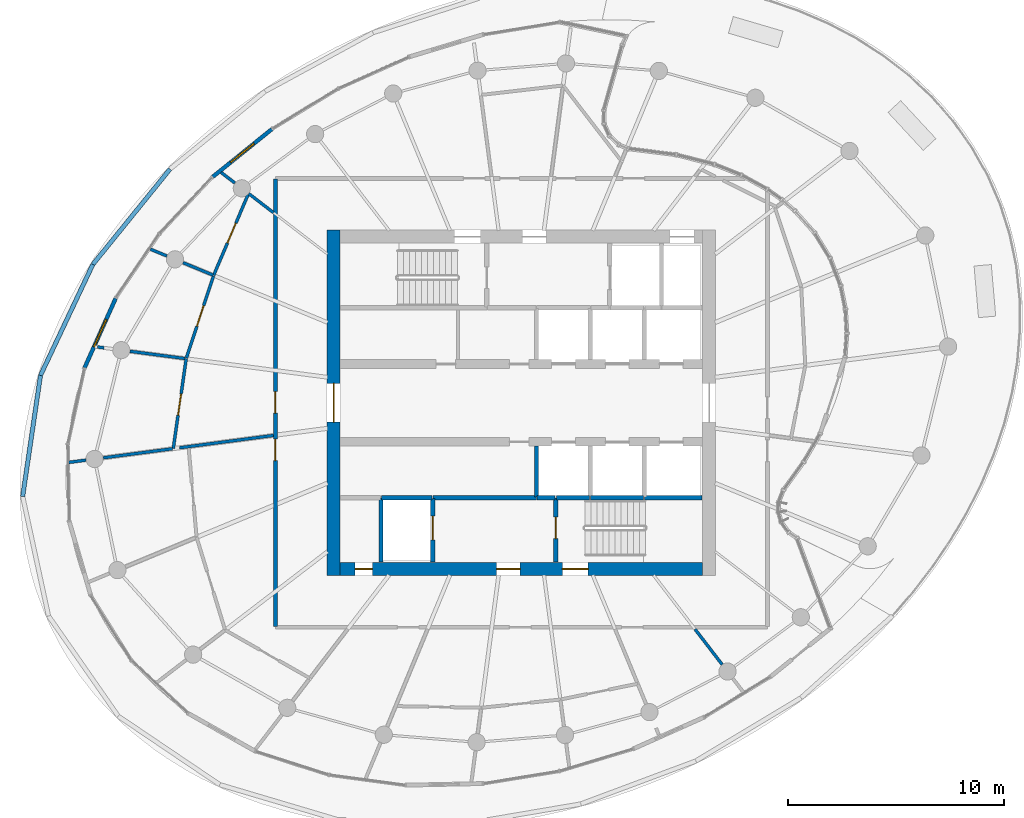
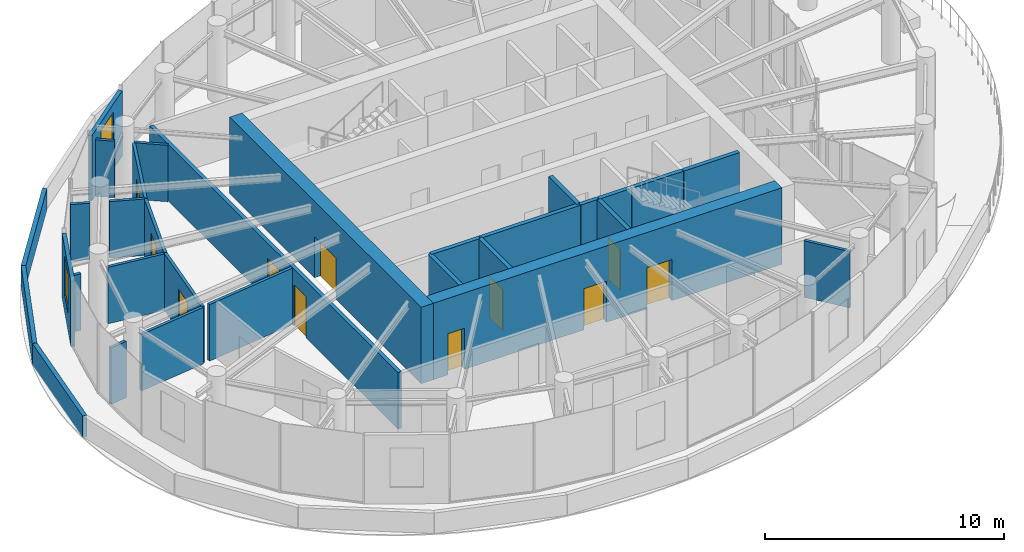
# One storey, part 12 of 19: 31 walls, 11 doors, 2 windows, 13 openings.
"""IFC4 building model written with IfcOpenShell, lengths in metres."""

from ifc_helpers import new_model, si_unit, direction, frame, frame_2d, origin, place, context, subcontext, project, spatial, rectangle, extrude, source, transform, mapped, material, layer, layer_set, type_object, element, fill, save


model = new_model("IFC4")

# Units and contexts
model_context = context("Model", 3, precision=1e-05, world=origin(), true_north=direction((0.0, 1.0)))
body_context = subcontext(model_context, "Body", "Model", "MODEL_VIEW")
ifc_project = project(units=[si_unit("LENGTHUNIT", "METRE"), si_unit("AREAUNIT", "SQUARE_METRE"), si_unit("VOLUMEUNIT", "CUBIC_METRE"), si_unit("PLANEANGLEUNIT", "RADIAN"), si_unit("MASSUNIT", "GRAM", prefix="KILO")], contexts=[model_context])

# Site, building, storey
site_placement = place(None, origin())
site = spatial("IfcSite", under=ifc_project, at=site_placement, CompositionType="ELEMENT")
building_placement = place(site_placement, origin())
building = spatial("IfcBuilding", under=site, at=building_placement, Name="Spindrift Exchange Tower", CompositionType="ELEMENT")
storey_placement = place(building_placement, frame((0.0, 0.0, 234.5)))
storey = spatial("IfcBuildingStorey", under=building, at=storey_placement, Name="L57", CompositionType="ELEMENT", Elevation=234.5)

# Walls
ifc_material_1 = material(Name="Concrete 40 MPa", Category="concrete")
ifc_layer_1 = layer(ifc_material_1, 0.199951171875)
ifc_layer_set_1 = layer_set([ifc_layer_1], Name="LEDGE PARAPET 1100")
wall_type_1 = type_object("IfcWallType", Name="LEDGE PARAPET 1100", PredefinedType="PARAPET", material=ifc_layer_set_1)
wall_1_placement = place(storey_placement, frame((28.890625, 43.65869140625, 0.0), z_axis=(0.0, 0.0, 1.0), x_axis=(0.145625312396, 0.989339814416, 0.0)))
element("IfcWall", 1, at=wall_1_placement, inside=storey, type_object=wall_type_1, Name="L57 Ledge Parapet 10", PredefinedType="PARAPET", context=body_context, shape_type="SweptSolid", body=[
    extrude(rectangle(XDim=5.67333984375, YDim=0.199951171875, at=frame_2d((2.836669921875, 0.0))), origin(), (0.0, 0.0, 1.0), 1.10009765625),
])
wall_2_placement = place(storey_placement, frame((29.716796875, 49.271484375, 0.0), z_axis=(0.0, 0.0, 1.0), x_axis=(0.426593477443, 0.904443478059, 0.0)))
element("IfcWall", 2, at=wall_2_placement, inside=storey, type_object=wall_type_1, Name="L57 Ledge Parapet 11", PredefinedType="PARAPET", context=body_context, shape_type="SweptSolid", body=[
    extrude(rectangle(XDim=5.682373046875, YDim=0.199951171875, at=frame_2d((2.84130859375, 0.0))), origin(), (0.0, 0.0, 1.0), 1.10009765625),
])
wall_3_placement = place(storey_placement, frame((32.140869140625, 54.410888671875, 0.0), z_axis=(0.0, 0.0, 1.0), x_axis=(0.629119189676, 0.777308848002, 0.0)))
element("IfcWall", 3, at=wall_3_placement, inside=storey, type_object=wall_type_1, Name="L57 Ledge Parapet 12", PredefinedType="PARAPET", context=body_context, shape_type="SweptSolid", body=[
    extrude(rectangle(XDim=5.68701171875, YDim=0.199951171875, at=frame_2d((2.843505859375, 0.0))), origin(), (0.0, 0.0, 1.0), 1.10009765625),
])

# Wall, opening, door
ifc_material_2 = material(Name="Concrete 50 MPa", Category="concrete")
ifc_layer_2 = layer(ifc_material_2, 0.60009765625)
ifc_layer_set_2 = layer_set([ifc_layer_2], Name="RC Core Wall 600 Concrete 50 MPa")
wall_type_2 = type_object("IfcWallType", Name="RC Core Wall 600 Concrete 50 MPa", PredefinedType="SHEAR", material=ifc_layer_set_2)
wall_4_placement = place(storey_placement, frame((43.300048828125, 56.0, 0.0), z_axis=(0.0, 0.0, 1.0), x_axis=(0.0, -1.0, 0.0)))
wall_4 = element("IfcWall", 4, at=wall_4_placement, inside=storey, type_object=wall_type_2, Name="Core wall W L57", PredefinedType="SHEAR", context=body_context, shape_type="SweptSolid", body=[
    extrude(rectangle(XDim=16.0, YDim=0.60009765625, at=frame_2d((8.0, 0.0))), origin(), (0.0, 0.0, 1.0), 3.89990234375),
])
opening_1_placement = place(wall_4_placement, frame((7.10009765625, 0.0, 0.0)))
opening_1 = element("IfcOpeningElement", 5, at=opening_1_placement, cuts=wall_4, Name="Opening L57-D1", PredefinedType="OPENING", context=body_context, shape_type="SweptSolid", body=[
    extrude(rectangle(XDim=1.800048828125, YDim=2.10009765625, at=frame_2d((0.89990234375, 1.050048828125))), frame((0.0, 0.31005859375, 0.0), z_axis=(0.0, -1.0, 0.0), x_axis=(1.0, 0.0, 0.0)), (0.0, 0.0, 1.0), 0.6201171875),
])
ifc_material_3 = material(Name="Timber-core fire door", Category="wood")
door_type_1 = type_object("IfcDoorType", Name="DR-LOBBY-1800", OperationType="NOTDEFINED", PredefinedType="DOOR", material=ifc_material_3)
shared_shape_1 = source(origin(), body_context, "Body", "SweptSolid", [
    extrude(rectangle(XDim=1.800048828125, YDim=2.10009765625, at=frame_2d((0.89990234375, 1.050048828125))), frame((0.0, 0.02490234375, 0.0), z_axis=(0.0, -1.0, 0.0), x_axis=(1.0, 0.0, 0.0)), (0.0, 0.0, 1.0), 0.050048828125),
])
door_1_placement = place(opening_1_placement, origin())
door_1 = element("IfcDoor", 6, at=door_1_placement, inside=storey, type_object=door_type_1, Name="L57 Lobby door 1", OperationType="SINGLE_SWING_RIGHT", OverallHeight=2.10009765625, OverallWidth=1.800048828125, PredefinedType="DOOR", context=body_context, shape_type="MappedRepresentation", body=[
    mapped(shared_shape_1, transform((0.0, 0.0, 0.0), scale=1.0)),
])
fill(opening_1, door_1)

# Wall, openings, doors
wall_5_placement = place(storey_placement, frame((43.60009765625, 40.300048828125, 0.0), z_axis=(0.0, 0.0, 1.0), x_axis=(1.0, 0.0, 0.0)))
wall_5 = element("IfcWall", 7, at=wall_5_placement, inside=storey, type_object=wall_type_2, Name="Core wall S L57", PredefinedType="SHEAR", context=body_context, shape_type="SweptSolid", body=[
    extrude(rectangle(XDim=16.7998046875, YDim=0.60009765625, at=frame_2d((8.39990234375, 0.0))), origin(), (0.0, 0.0, 1.0), 3.89990234375),
])
opening_2_placement = place(wall_5_placement, frame((10.300048828125, 0.0, 0.0)))
opening_2 = element("IfcOpeningElement", 8, at=opening_2_placement, cuts=wall_5, Name="Opening L57-D15", PredefinedType="OPENING", context=body_context, shape_type="SweptSolid", body=[
    extrude(rectangle(XDim=1.199951171875, YDim=2.10009765625, at=frame_2d((0.60009765625, 1.050048828125))), frame((0.0, 0.31005859375, 0.0), z_axis=(0.0, -1.0, 0.0), x_axis=(1.0, 0.0, 0.0)), (0.0, 0.0, 1.0), 0.6201171875),
])
opening_3_placement = place(wall_5_placement, frame((7.25, 0.0, 0.0)))
opening_3 = element("IfcOpeningElement", 9, at=opening_3_placement, cuts=wall_5, Name="Opening L57-D17", PredefinedType="OPENING", context=body_context, shape_type="SweptSolid", body=[
    extrude(rectangle(XDim=1.10009765625, YDim=2.10009765625, at=frame_2d((0.550048828125, 1.050048828125))), frame((0.0, 0.31005859375, 0.0), z_axis=(0.0, -1.0, 0.0), x_axis=(1.0, 0.0, 0.0)), (0.0, 0.0, 1.0), 0.6201171875),
])
opening_4_placement = place(wall_5_placement, frame((0.699951171875, 0.0, 0.0)))
opening_4 = element("IfcOpeningElement", 10, at=opening_4_placement, cuts=wall_5, Name="Opening L57-D18", PredefinedType="OPENING", context=body_context, shape_type="SweptSolid", body=[
    extrude(rectangle(XDim=0.800048828125, YDim=2.10009765625, at=frame_2d((0.39990234375, 1.050048828125))), frame((0.0, 0.31005859375, 0.0), z_axis=(0.0, -1.0, 0.0), x_axis=(1.0, 0.0, 0.0)), (0.0, 0.0, 1.0), 0.6201171875),
])
ifc_material_4 = material(Name="Steel fire door", Category="steel")
door_type_2 = type_object("IfcDoorType", Name="DR-STAIR-1200", OperationType="NOTDEFINED", PredefinedType="DOOR", material=ifc_material_4)
shared_shape_2 = source(origin(), body_context, "Body", "SweptSolid", [
    extrude(rectangle(XDim=1.199951171875, YDim=2.10009765625, at=frame_2d((0.60009765625, 1.050048828125))), frame((0.0, 0.02490234375, 0.0), z_axis=(0.0, -1.0, 0.0), x_axis=(1.0, 0.0, 0.0)), (0.0, 0.0, 1.0), 0.050048828125),
])
door_2_placement = place(opening_2_placement, origin())
door_2 = element("IfcDoor", 11, at=door_2_placement, inside=storey, type_object=door_type_2, Name="L57 Stair door 15", OperationType="SINGLE_SWING_LEFT", OverallHeight=2.10009765625, OverallWidth=1.199951171875, PredefinedType="DOOR", context=body_context, shape_type="MappedRepresentation", body=[
    mapped(shared_shape_2, transform((0.0, 0.0, 0.0), scale=1.0)),
])
fill(opening_2, door_2)
door_type_3 = type_object("IfcDoorType", Name="DR-LOBBY-1100", OperationType="NOTDEFINED", PredefinedType="DOOR", material=ifc_material_3)
shared_shape_3 = source(origin(), body_context, "Body", "SweptSolid", [
    extrude(rectangle(XDim=1.10009765625, YDim=2.10009765625, at=frame_2d((0.550048828125, 1.050048828125))), frame((0.0, 0.02490234375, 0.0), z_axis=(0.0, -1.0, 0.0), x_axis=(1.0, 0.0, 0.0)), (0.0, 0.0, 1.0), 0.050048828125),
])
door_3_placement = place(opening_3_placement, origin())
door_3 = element("IfcDoor", 12, at=door_3_placement, inside=storey, type_object=door_type_3, Name="L57 Lobby door 17", OperationType="SINGLE_SWING_LEFT", OverallHeight=2.10009765625, OverallWidth=1.10009765625, PredefinedType="DOOR", context=body_context, shape_type="MappedRepresentation", body=[
    mapped(shared_shape_3, transform((0.0, 0.0, 0.0), scale=1.0)),
])
fill(opening_3, door_3)
ifc_material_5 = material(Name="Steel access door", Category="steel")
door_type_4 = type_object("IfcDoorType", Name="DR-RISER-800", OperationType="NOTDEFINED", PredefinedType="DOOR", material=ifc_material_5)
shared_shape_4 = source(origin(), body_context, "Body", "SweptSolid", [
    extrude(rectangle(XDim=0.800048828125, YDim=2.10009765625, at=frame_2d((0.39990234375, 1.050048828125))), frame((0.0, 0.02490234375, 0.0), z_axis=(0.0, -1.0, 0.0), x_axis=(1.0, 0.0, 0.0)), (0.0, 0.0, 1.0), 0.050048828125),
])
door_4_placement = place(opening_4_placement, origin())
door_4 = element("IfcDoor", 13, at=door_4_placement, inside=storey, type_object=door_type_4, Name="L57 Riser door 18", OperationType="SINGLE_SWING_RIGHT", OverallHeight=2.10009765625, OverallWidth=0.800048828125, PredefinedType="DOOR", context=body_context, shape_type="MappedRepresentation", body=[
    mapped(shared_shape_4, transform((0.0, 0.0, 0.0), scale=1.0)),
])
fill(opening_4, door_4)

# Wall, opening, window
ifc_material_6 = material(Name="Bronze anodised aluminium frame with fritted laminated glass spandrel", Category="aluminium")
ifc_layer_3 = layer(ifc_material_6, 0.179931640625)
ifc_layer_set_3 = layer_set([ifc_layer_3], Name="UNITISED FRAME WALL TO BEAM SOFFIT")
wall_type_3 = type_object("IfcWallType", Name="UNITISED FRAME WALL TO BEAM SOFFIT", PredefinedType="STANDARD", material=ifc_layer_set_3)
wall_6_placement = place(storey_placement, frame((40.44189453125, 60.68505859375, 0.0), z_axis=(0.0, 0.0, 1.0), x_axis=(-0.77832244361, -0.627864773477, 0.0)))
wall_6 = element("IfcWall", 14, at=wall_6_placement, inside=storey, type_object=wall_type_3, Name="L57 Frame Wall 5", PredefinedType="STANDARD", context=body_context, shape_type="SweptSolid", body=[
    extrude(rectangle(XDim=3.526123046875, YDim=0.179931640625, at=frame_2d((1.76318359375, 0.0))), origin(), (0.0, 0.0, 1.0), 3.327880859375),
])
opening_5_placement = place(wall_6_placement, frame((1.06298828125, 0.0, 0.89990234375)))
opening_5 = element("IfcOpeningElement", 15, at=opening_5_placement, cuts=wall_6, Name="Opening WV57-02", PredefinedType="OPENING", context=body_context, shape_type="SweptSolid", body=[
    extrude(rectangle(XDim=1.39990234375, YDim=2.0, at=frame_2d((0.699951171875, 1.0))), frame((0.0, 0.099853515625, 0.0), z_axis=(0.0, -1.0, 0.0), x_axis=(1.0, 0.0, 0.0)), (0.0, 0.0, 1.0), 0.199951171875),
])
ifc_material_7 = material(Name="Clear laminated low-iron glass in bronze frame", Category="glass")
window_type = type_object("IfcWindowType", Name="OPERABLE CLEAR VENT 1400X2000", PartitioningType="SINGLE_PANEL", PredefinedType="WINDOW", material=ifc_material_7)
shared_shape_5 = source(origin(), body_context, "Body", "SweptSolid", [
    extrude(rectangle(XDim=1.39990234375, YDim=2.0, at=frame_2d((0.699951171875, 1.0))), frame((0.0, 0.030029296875, 0.0), z_axis=(0.0, -1.0, 0.0), x_axis=(1.0, 0.0, 0.0)), (0.0, 0.0, 1.0), 0.06005859375),
])
window_1_placement = place(opening_5_placement, origin())
window_1 = element("IfcWindow", 16, at=window_1_placement, inside=storey, type_object=window_type, Name="L57 Operable Vent WV57-02", OverallHeight=2.0, OverallWidth=1.39990234375, PartitioningType="SINGLE_PANEL", PredefinedType="WINDOW", context=body_context, shape_type="MappedRepresentation", body=[
    mapped(shared_shape_5, transform((0.0, 0.0, 0.0), scale=1.0)),
])
fill(opening_5, window_1)

wall_7_placement = place(storey_placement, frame((33.199462890625, 52.84033203125, 0.0), z_axis=(0.0, 0.0, 1.0), x_axis=(-0.408387330325, -0.912808735952, 0.0)))
wall_7 = element("IfcWall", 17, at=wall_7_placement, inside=storey, type_object=wall_type_3, Name="L57 Frame Wall 8", PredefinedType="STANDARD", context=body_context, shape_type="SweptSolid", body=[
    extrude(rectangle(XDim=3.5234375, YDim=0.179931640625, at=frame_2d((1.76171875, 0.0))), origin(), (0.0, 0.0, 1.0), 3.327880859375),
])
opening_6_placement = place(wall_7_placement, frame((1.061767578125, 0.0, 0.89990234375)))
opening_6 = element("IfcOpeningElement", 18, at=opening_6_placement, cuts=wall_7, Name="Opening WV57-03", PredefinedType="OPENING", context=body_context, shape_type="SweptSolid", body=[
    extrude(rectangle(XDim=1.39990234375, YDim=2.0, at=frame_2d((0.699951171875, 1.0))), frame((0.0, 0.099853515625, 0.0), z_axis=(0.0, -1.0, 0.0), x_axis=(1.0, 0.0, 0.0)), (0.0, 0.0, 1.0), 0.199951171875),
])
window_2_placement = place(opening_6_placement, origin())
window_2 = element("IfcWindow", 19, at=window_2_placement, inside=storey, type_object=window_type, Name="L57 Operable Vent WV57-03", OverallHeight=2.0, OverallWidth=1.39990234375, PartitioningType="SINGLE_PANEL", PredefinedType="WINDOW", context=body_context, shape_type="MappedRepresentation", body=[
    mapped(shared_shape_5, transform((0.0, 0.0, 0.0), scale=1.0)),
])
fill(opening_6, window_2)

# Wall, openings, doors
ifc_material_8 = material(Name="Fire-rated plasterboard partition", Category="gypsum")
ifc_layer_4 = layer(ifc_material_8, 0.179931640625)
ifc_layer_set_4 = layer_set([ifc_layer_4], Name="W-CORR-180")
wall_type_4 = type_object("IfcWallType", Name="W-CORR-180", PredefinedType="PARTITIONING", material=ifc_layer_set_4)
wall_8_placement = place(storey_placement, frame((40.60009765625, 37.6298828125, 0.0), z_axis=(0.0, 0.0, 1.0), x_axis=(0.0, 1.0, 0.0)))
wall_8 = element("IfcWall", 20, at=wall_8_placement, inside=storey, type_object=wall_type_4, Name="L57 Partition wall 29", PredefinedType="PARTITIONING", context=body_context, shape_type="SweptSolid", body=[
    extrude(rectangle(XDim=20.740234375, YDim=0.179931640625, at=frame_2d((10.3701171875, 0.0))), origin(), (0.0, 0.0, 1.0), 2.8798828125),
])
opening_7_placement = place(wall_8_placement, frame((9.889892578125, 0.0, 0.0)))
opening_7 = element("IfcOpeningElement", 21, at=opening_7_placement, cuts=wall_8, Name="Opening L57-D24", PredefinedType="OPENING", context=body_context, shape_type="SweptSolid", body=[
    extrude(rectangle(XDim=1.0, YDim=2.10009765625, at=frame_2d((0.5, 1.050048828125))), frame((0.0, 0.099853515625, 0.0), z_axis=(0.0, -1.0, 0.0), x_axis=(1.0, 0.0, 0.0)), (0.0, 0.0, 1.0), 0.199951171875),
])
opening_8_placement = place(wall_8_placement, frame((7.68994140625, 0.0, 0.0)))
opening_8 = element("IfcOpeningElement", 22, at=opening_8_placement, cuts=wall_8, Name="Opening L57-D28", PredefinedType="OPENING", context=body_context, shape_type="SweptSolid", body=[
    extrude(rectangle(XDim=1.0, YDim=2.10009765625, at=frame_2d((0.5, 1.050048828125))), frame((0.0, 0.099853515625, 0.0), z_axis=(0.0, -1.0, 0.0), x_axis=(1.0, 0.0, 0.0)), (0.0, 0.0, 1.0), 0.199951171875),
])
door_type_5 = type_object("IfcDoorType", Name="DR-ROOM-1000", OperationType="NOTDEFINED", PredefinedType="DOOR", material=ifc_material_3)
shared_shape_6 = source(origin(), body_context, "Body", "SweptSolid", [
    extrude(rectangle(XDim=1.0, YDim=2.10009765625, at=frame_2d((0.5, 1.050048828125))), frame((0.0, 0.02490234375, 0.0), z_axis=(0.0, -1.0, 0.0), x_axis=(1.0, 0.0, 0.0)), (0.0, 0.0, 1.0), 0.050048828125),
])
door_5_placement = place(opening_7_placement, origin())
door_5 = element("IfcDoor", 23, at=door_5_placement, inside=storey, type_object=door_type_5, Name="L57 Door 24", OperationType="SINGLE_SWING_RIGHT", OverallHeight=2.10009765625, OverallWidth=1.0, PredefinedType="DOOR", context=body_context, shape_type="MappedRepresentation", body=[
    mapped(shared_shape_6, transform((0.0, 0.0, 0.0), scale=1.0)),
])
fill(opening_7, door_5)
door_6_placement = place(opening_8_placement, origin())
door_6 = element("IfcDoor", 24, at=door_6_placement, inside=storey, type_object=door_type_5, Name="L57 Door 28", OperationType="SINGLE_SWING_RIGHT", OverallHeight=2.10009765625, OverallWidth=1.0, PredefinedType="DOOR", context=body_context, shape_type="MappedRepresentation", body=[
    mapped(shared_shape_6, transform((0.0, 0.0, 0.0), scale=1.0)),
])
fill(opening_8, door_6)

# Wall
ifc_layer_5 = layer(ifc_material_8, 0.139892578125)
ifc_layer_set_5 = layer_set([ifc_layer_5], Name="W-PART-140")
wall_type_5 = type_object("IfcWallType", Name="W-PART-140", PredefinedType="PARTITIONING", material=ifc_layer_set_5)
wall_9_placement = place(storey_placement, frame((36.16357421875, 45.9150390625, 0.0), z_axis=(0.0, 0.0, 1.0), x_axis=(0.991443487812, 0.130536625031, 0.0)))
element("IfcWall", 25, at=wall_9_placement, inside=storey, type_object=wall_type_5, Name="L57 Partition wall 34", PredefinedType="PARTITIONING", context=body_context, shape_type="SweptSolid", body=[
    extrude(rectangle(XDim=4.384033203125, YDim=0.139892578125, at=frame_2d((2.19189453125, 0.0))), origin(), (0.0, 0.0, 1.0), 2.8798828125),
])

# Wall, opening, door
wall_10_placement = place(storey_placement, frame((35.868408203125, 45.876220703125, 0.0), z_axis=(0.0, 0.0, 1.0), x_axis=(0.142606161413, 0.989779512178, 0.0)))
wall_10 = element("IfcWall", 26, at=wall_10_placement, inside=storey, type_object=wall_type_5, Name="L57 Partition wall 39", PredefinedType="PARTITIONING", context=body_context, shape_type="SweptSolid", body=[
    extrude(rectangle(XDim=4.21142578125, YDim=0.139892578125, at=frame_2d((2.105712890625, 0.0))), origin(), (0.0, 0.0, 1.0), 2.8798828125),
])
opening_9_placement = place(wall_10_placement, frame((1.5615234375, 0.0, 0.0)))
opening_9 = element("IfcOpeningElement", 27, at=opening_9_placement, cuts=wall_10, Name="Opening L57-D27", PredefinedType="OPENING", context=body_context, shape_type="SweptSolid", body=[
    extrude(rectangle(XDim=1.0, YDim=2.10009765625, at=frame_2d((0.5, 1.050048828125))), frame((0.0, 0.079833984375, 0.0), z_axis=(0.0, -1.0, 0.0), x_axis=(1.0, 0.0, 0.0)), (0.0, 0.0, 1.0), 0.159912109375),
])
door_7_placement = place(opening_9_placement, origin())
door_7 = element("IfcDoor", 28, at=door_7_placement, inside=storey, type_object=door_type_5, Name="L57 Door 27", OperationType="SINGLE_SWING_LEFT", OverallHeight=2.10009765625, OverallWidth=1.0, PredefinedType="DOOR", context=body_context, shape_type="MappedRepresentation", body=[
    mapped(shared_shape_6, transform((0.0, 0.0, 0.0), scale=1.0)),
])
fill(opening_9, door_7)

wall_11_placement = place(storey_placement, frame((37.74072265625, 53.906494140625, 0.0), z_axis=(0.0, 0.0, 1.0), x_axis=(0.391990538721, 0.919969248156, 0.0)))
wall_11 = element("IfcWall", 29, at=wall_11_placement, inside=storey, type_object=wall_type_5, Name="L57 Partition wall 40", PredefinedType="PARTITIONING", context=body_context, shape_type="SweptSolid", body=[
    extrude(rectangle(XDim=4.080810546875, YDim=0.139892578125, at=frame_2d((2.04052734375, 0.0))), origin(), (0.0, 0.0, 1.0), 2.8798828125),
])
opening_10_placement = place(wall_11_placement, frame((1.630859375, 0.0, 0.0)))
opening_10 = element("IfcOpeningElement", 30, at=opening_10_placement, cuts=wall_11, Name="Opening L57-D25", PredefinedType="OPENING", context=body_context, shape_type="SweptSolid", body=[
    extrude(rectangle(XDim=1.0, YDim=2.10009765625, at=frame_2d((0.5, 1.050048828125))), frame((0.0, 0.079833984375, 0.0), z_axis=(0.0, -1.0, 0.0), x_axis=(1.0, 0.0, 0.0)), (0.0, 0.0, 1.0), 0.159912109375),
])
door_8_placement = place(opening_10_placement, origin())
door_8 = element("IfcDoor", 31, at=door_8_placement, inside=storey, type_object=door_type_5, Name="L57 Door 25", OperationType="SINGLE_SWING_LEFT", OverallHeight=2.10009765625, OverallWidth=1.0, PredefinedType="DOOR", context=body_context, shape_type="MappedRepresentation", body=[
    mapped(shared_shape_6, transform((0.0, 0.0, 0.0), scale=1.0)),
])
fill(opening_10, door_8)

wall_12_placement = place(storey_placement, frame((36.478271484375, 50.0732421875, 0.0), z_axis=(0.0, 0.0, 1.0), x_axis=(0.312843173351, 0.949804795149, 0.0)))
wall_12 = element("IfcWall", 32, at=wall_12_placement, inside=storey, type_object=wall_type_5, Name="L57 Partition wall 41", PredefinedType="PARTITIONING", context=body_context, shape_type="SweptSolid", body=[
    extrude(rectangle(XDim=4.005859375, YDim=0.139892578125, at=frame_2d((2.0029296875, 0.0))), origin(), (0.0, 0.0, 1.0), 2.8798828125),
])
opening_11_placement = place(wall_12_placement, frame((1.5556640625, 0.0, 0.0)))
opening_11 = element("IfcOpeningElement", 33, at=opening_11_placement, cuts=wall_12, Name="Opening L57-D26", PredefinedType="OPENING", context=body_context, shape_type="SweptSolid", body=[
    extrude(rectangle(XDim=1.0, YDim=2.10009765625, at=frame_2d((0.5, 1.050048828125))), frame((0.0, 0.079833984375, 0.0), z_axis=(0.0, -1.0, 0.0), x_axis=(1.0, 0.0, 0.0)), (0.0, 0.0, 1.0), 0.159912109375),
])
door_9_placement = place(opening_11_placement, origin())
door_9 = element("IfcDoor", 34, at=door_9_placement, inside=storey, type_object=door_type_5, Name="L57 Door 26", OperationType="SINGLE_SWING_RIGHT", OverallHeight=2.10009765625, OverallWidth=1.0, PredefinedType="DOOR", context=body_context, shape_type="MappedRepresentation", body=[
    mapped(shared_shape_6, transform((0.0, 0.0, 0.0), scale=1.0)),
])
fill(opening_11, door_9)

# Walls
wall_13_placement = place(storey_placement, frame((35.838623046875, 45.872314453125, 0.0), z_axis=(0.0, 0.0, 1.0), x_axis=(-0.991450707373, -0.13048177976, 0.0)))
element("IfcWall", 35, at=wall_13_placement, inside=storey, type_object=wall_type_5, Name="L57 Partition wall 51", PredefinedType="PARTITIONING", context=body_context, shape_type="SweptSolid", body=[
    extrude(rectangle(XDim=3.24267578125, YDim=0.139892578125, at=frame_2d((1.621337890625, 0.0))), origin(), (0.0, 0.0, 1.0), 2.8798828125),
])
wall_14_placement = place(storey_placement, frame((36.399658203125, 50.0537109375, 0.0), z_axis=(0.0, 0.0, 1.0), x_axis=(-0.991443907161, 0.130533439979, 0.0)))
element("IfcWall", 36, at=wall_14_placement, inside=storey, type_object=wall_type_5, Name="L57 Partition wall 53", PredefinedType="PARTITIONING", context=body_context, shape_type="SweptSolid", body=[
    extrude(rectangle(XDim=2.560546875, YDim=0.139892578125, at=frame_2d((1.2802734375, 0.0))), origin(), (0.0, 0.0, 1.0), 2.8798828125),
])
wall_15_placement = place(storey_placement, frame((60.04931640625, 37.510009765625, 0.0), z_axis=(0.0, 0.0, 1.0), x_axis=(0.608701397958, -0.793399400128, 0.0)))
element("IfcWall", 37, at=wall_15_placement, inside=storey, type_object=wall_type_5, Name="L57 Partition wall 58", PredefinedType="PARTITIONING", context=body_context, shape_type="SweptSolid", body=[
    extrude(rectangle(XDim=2.070068359375, YDim=0.139892578125, at=frame_2d((1.03515625, 0.0))), origin(), (0.0, 0.0, 1.0), 2.8798828125),
])
wall_16_placement = place(storey_placement, frame((40.510009765625, 56.816650390625, 0.0), z_axis=(0.0, 0.0, 1.0), x_axis=(-0.793316945216, 0.608808857059, 0.0)))
element("IfcWall", 38, at=wall_16_placement, inside=storey, type_object=wall_type_5, Name="L57 Partition wall 62", PredefinedType="PARTITIONING", context=body_context, shape_type="SweptSolid", body=[
    extrude(rectangle(XDim=1.439697265625, YDim=0.139892578125, at=frame_2d((0.7197265625, 0.0))), origin(), (0.0, 0.0, 1.0), 2.8798828125),
])
wall_17_placement = place(storey_placement, frame((37.713134765625, 53.917724609375, 0.0), z_axis=(0.0, 0.0, 1.0), x_axis=(-0.923819085666, 0.382829331373, 0.0)))
element("IfcWall", 39, at=wall_17_placement, inside=storey, type_object=wall_type_5, Name="L57 Partition wall 63", PredefinedType="PARTITIONING", context=body_context, shape_type="SweptSolid", body=[
    extrude(rectangle(XDim=1.505126953125, YDim=0.139892578125, at=frame_2d((0.75244140625, 0.0))), origin(), (0.0, 0.0, 1.0), 2.8798828125),
])
wall_18_placement = place(storey_placement, frame((32.662353515625, 50.5458984375, 0.0), z_axis=(0.0, 0.0, 1.0), x_axis=(-0.991424066083, 0.130684051022, 0.0)))
element("IfcWall", 40, at=wall_18_placement, inside=storey, type_object=wall_type_5, Name="L57 Partition wall 72", PredefinedType="PARTITIONING", context=body_context, shape_type="SweptSolid", body=[
    extrude(rectangle(XDim=0.302734375, YDim=0.139892578125, at=frame_2d((0.1513671875, 0.0))), origin(), (0.0, 0.0, 1.0), 2.8798828125),
])
wall_19_placement = place(storey_placement, frame((35.57421875, 54.8037109375, 0.0), z_axis=(0.0, 0.0, 1.0), x_axis=(-0.923915786345, 0.38259589614, 0.0)))
element("IfcWall", 41, at=wall_19_placement, inside=storey, type_object=wall_type_5, Name="L57 Partition wall 73", PredefinedType="PARTITIONING", context=body_context, shape_type="SweptSolid", body=[
    extrude(rectangle(XDim=0.824462890625, YDim=0.139892578125, at=frame_2d((0.412109375, 0.0))), origin(), (0.0, 0.0, 1.0), 2.8798828125),
])
wall_20_placement = place(storey_placement, frame((38.72607421875, 58.185546875, 0.0), z_axis=(0.0, 0.0, 1.0), x_axis=(-0.793387400676, 0.60871703808, 0.0)))
element("IfcWall", 42, at=wall_20_placement, inside=storey, type_object=wall_type_5, Name="L57 Partition wall 74", PredefinedType="PARTITIONING", context=body_context, shape_type="SweptSolid", body=[
    extrude(rectangle(XDim=0.807861328125, YDim=0.139892578125, at=frame_2d((0.40380859375, 0.0))), origin(), (0.0, 0.0, 1.0), 2.8798828125),
])
wall_21_placement = place(storey_placement, frame((31.821533203125, 45.343505859375, 0.0), z_axis=(0.0, 0.0, 1.0), x_axis=(-0.991435721486, -0.130595597787, 0.0)))
element("IfcWall", 43, at=wall_21_placement, inside=storey, type_object=wall_type_5, Name="L57 Partition wall 75", PredefinedType="PARTITIONING", context=body_context, shape_type="SweptSolid", body=[
    extrude(rectangle(XDim=0.8056640625, YDim=0.139892578125, at=frame_2d((0.40283203125, 0.0))), origin(), (0.0, 0.0, 1.0), 2.8798828125),
])
ifc_layer_6 = layer(ifc_material_1, 0.199951171875)
ifc_layer_set_6 = layer_set([ifc_layer_6], Name="W-SHAFT-200")
wall_type_6 = type_object("IfcWallType", Name="W-SHAFT-200", PredefinedType="SOLIDWALL", material=ifc_layer_set_6)
wall_22_placement = place(storey_placement, frame((52.699951171875, 43.60009765625, 0.0), z_axis=(0.0, 0.0, 1.0), x_axis=(-1.0, 0.0, 0.0)))
element("IfcWall", 44, at=wall_22_placement, inside=storey, type_object=wall_type_6, Name="L57 Shaft wall 2", PredefinedType="SOLIDWALL", context=body_context, shape_type="SweptSolid", body=[
    extrude(rectangle(XDim=4.800048828125, YDim=0.199951171875, at=frame_2d((2.39990234375, 0.0))), origin(), (0.0, 0.0, 1.0), 3.580078125),
])
wall_23_placement = place(storey_placement, frame((45.5, 43.60009765625, 0.0), z_axis=(0.0, 0.0, 1.0), x_axis=(0.0, -1.0, 0.0)))
element("IfcWall", 45, at=wall_23_placement, inside=storey, type_object=wall_type_6, Name="L57 Shaft wall 3", PredefinedType="SOLIDWALL", context=body_context, shape_type="SweptSolid", body=[
    extrude(rectangle(XDim=2.97998046875, YDim=0.199951171875, at=frame_2d((1.489990234375, 0.0))), origin(), (0.0, 0.0, 1.0), 3.580078125),
])

# Wall, opening, door
wall_24_placement = place(storey_placement, frame((47.89990234375, 40.6201171875, 0.0), z_axis=(0.0, 0.0, 1.0), x_axis=(0.0, 1.0, 0.0)))
wall_24 = element("IfcWall", 46, at=wall_24_placement, inside=storey, type_object=wall_type_6, Name="L57 Shaft wall 4", PredefinedType="SOLIDWALL", context=body_context, shape_type="SweptSolid", body=[
    extrude(rectangle(XDim=2.949951171875, YDim=0.199951171875, at=frame_2d((1.47509765625, 0.0))), origin(), (0.0, 0.0, 1.0), 3.580078125),
])
opening_12_placement = place(wall_24_placement, frame((1.030029296875, 0.0, 0.0)))
opening_12 = element("IfcOpeningElement", 47, at=opening_12_placement, cuts=wall_24, Name="Opening L57-D10", PredefinedType="OPENING", context=body_context, shape_type="SweptSolid", body=[
    extrude(rectangle(XDim=1.10009765625, YDim=2.10009765625, at=frame_2d((0.550048828125, 1.050048828125))), frame((0.0, 0.10986328125, 0.0), z_axis=(0.0, -1.0, 0.0), x_axis=(1.0, 0.0, 0.0)), (0.0, 0.0, 1.0), 0.219970703125),
])
ifc_material_9 = material(Name="Stainless steel landing door", Category="steel")
door_type_6 = type_object("IfcDoorType", Name="DR-LANDING-1100-SL", OperationType="DOUBLE_DOOR_SLIDING", PredefinedType="USERDEFINED", material=ifc_material_9)
shared_shape_7 = source(origin(), body_context, "Body", "SweptSolid", [
    extrude(rectangle(XDim=1.10009765625, YDim=2.10009765625, at=frame_2d((0.550048828125, 1.050048828125))), frame((0.0, 0.02490234375, 0.0), z_axis=(0.0, -1.0, 0.0), x_axis=(1.0, 0.0, 0.0)), (0.0, 0.0, 1.0), 0.050048828125),
])
door_10_placement = place(opening_12_placement, origin())
door_10 = element("IfcDoor", 48, at=door_10_placement, inside=storey, type_object=door_type_6, Name="L57 Lift landing door 10", ObjectType="LANDING DOOR", OperationType="DOUBLE_DOOR_SLIDING", OverallHeight=2.10009765625, OverallWidth=1.10009765625, PredefinedType="USERDEFINED", context=body_context, shape_type="MappedRepresentation", body=[
    mapped(shared_shape_7, transform((0.0, 0.0, 0.0), scale=1.0)),
])
fill(opening_12, door_10)

# Walls
wall_25_placement = place(storey_placement, frame((47.8701171875, 43.60009765625, 0.0), z_axis=(0.0, 0.0, 1.0), x_axis=(-1.0, 0.0, 0.0)))
element("IfcWall", 49, at=wall_25_placement, inside=storey, type_object=wall_type_6, Name="L57 Shaft wall 12", PredefinedType="SOLIDWALL", context=body_context, shape_type="SweptSolid", body=[
    extrude(rectangle(XDim=2.340087890625, YDim=0.199951171875, at=frame_2d((1.169921875, 0.0))), origin(), (0.0, 0.0, 1.0), 3.580078125),
])
wall_26_placement = place(storey_placement, frame((52.699951171875, 45.989990234375, 0.0), z_axis=(0.0, 0.0, 1.0), x_axis=(0.0, -1.0, 0.0)))
element("IfcWall", 50, at=wall_26_placement, inside=storey, type_object=wall_type_6, Name="L57 Shaft wall 13", PredefinedType="SOLIDWALL", context=body_context, shape_type="SweptSolid", body=[
    extrude(rectangle(XDim=2.360107421875, YDim=0.199951171875, at=frame_2d((1.18017578125, 0.0))), origin(), (0.0, 0.0, 1.0), 3.580078125),
])

# Wall, opening, door
ifc_layer_7 = layer(ifc_material_1, 0.199951171875)
ifc_layer_set_7 = layer_set([ifc_layer_7], Name="W-SHAFT-200-LB")
wall_type_7 = type_object("IfcWallType", Name="W-SHAFT-200-LB", PredefinedType="SOLIDWALL", material=ifc_layer_set_7)
wall_27_placement = place(storey_placement, frame((53.60009765625, 43.60009765625, 0.0), z_axis=(0.0, 0.0, 1.0), x_axis=(0.0, -1.0, 0.0)))
wall_27 = element("IfcWall", 51, at=wall_27_placement, inside=storey, type_object=wall_type_7, Name="L57 Shaft wall 6", PredefinedType="SOLIDWALL", context=body_context, shape_type="SweptSolid", body=[
    extrude(rectangle(XDim=2.97998046875, YDim=0.199951171875, at=frame_2d((1.489990234375, 0.0))), origin(), (0.0, 0.0, 1.0), 3.580078125),
])
opening_13_placement = place(wall_27_placement, frame((0.89990234375, 0.0, 0.0)))
opening_13 = element("IfcOpeningElement", 52, at=opening_13_placement, cuts=wall_27, Name="Opening L57-D16", PredefinedType="OPENING", context=body_context, shape_type="SweptSolid", body=[
    extrude(rectangle(XDim=1.0, YDim=2.10009765625, at=frame_2d((0.5, 1.050048828125))), frame((0.0, 0.10986328125, 0.0), z_axis=(0.0, -1.0, 0.0), x_axis=(1.0, 0.0, 0.0)), (0.0, 0.0, 1.0), 0.219970703125),
])
door_type_7 = type_object("IfcDoorType", Name="DR-STAIR-1000", OperationType="NOTDEFINED", PredefinedType="DOOR", material=ifc_material_4)
shared_shape_8 = source(origin(), body_context, "Body", "SweptSolid", [
    extrude(rectangle(XDim=1.0, YDim=2.10009765625, at=frame_2d((0.5, 1.050048828125))), frame((0.0, 0.02490234375, 0.0), z_axis=(0.0, -1.0, 0.0), x_axis=(1.0, 0.0, 0.0)), (0.0, 0.0, 1.0), 0.050048828125),
])
door_11_placement = place(opening_13_placement, origin())
door_11 = element("IfcDoor", 53, at=door_11_placement, inside=storey, type_object=door_type_7, Name="L57 Stair door 16", OperationType="SINGLE_SWING_RIGHT", OverallHeight=2.10009765625, OverallWidth=1.0, PredefinedType="DOOR", context=body_context, shape_type="MappedRepresentation", body=[
    mapped(shared_shape_8, transform((0.0, 0.0, 0.0), scale=1.0)),
])
fill(opening_13, door_11)

# Walls
wall_28_placement = place(storey_placement, frame((57.699951171875, 43.60009765625, 0.0), z_axis=(0.0, 0.0, 1.0), x_axis=(1.0, 0.0, 0.0)))
element("IfcWall", 54, at=wall_28_placement, inside=storey, type_object=wall_type_7, Name="L57 Shaft wall 9", PredefinedType="SOLIDWALL", context=body_context, shape_type="SweptSolid", body=[
    extrude(rectangle(XDim=2.679931640625, YDim=0.199951171875, at=frame_2d((1.33984375, 0.0))), origin(), (0.0, 0.0, 1.0), 3.580078125),
])
wall_29_placement = place(storey_placement, frame((55.199951171875, 43.60009765625, 0.0), z_axis=(0.0, 0.0, 1.0), x_axis=(1.0, 0.0, 0.0)))
element("IfcWall", 55, at=wall_29_placement, inside=storey, type_object=wall_type_7, Name="L57 Shaft wall 11", PredefinedType="SOLIDWALL", context=body_context, shape_type="SweptSolid", body=[
    extrude(rectangle(XDim=2.469970703125, YDim=0.199951171875, at=frame_2d((1.23486328125, 0.0))), origin(), (0.0, 0.0, 1.0), 3.580078125),
])
wall_30_placement = place(storey_placement, frame((53.6298828125, 43.60009765625, 0.0), z_axis=(0.0, 0.0, 1.0), x_axis=(1.0, 0.0, 0.0)))
element("IfcWall", 56, at=wall_30_placement, inside=storey, type_object=wall_type_7, Name="L57 Shaft wall 22", PredefinedType="SOLIDWALL", context=body_context, shape_type="SweptSolid", body=[
    extrude(rectangle(XDim=1.5400390625, YDim=0.199951171875, at=frame_2d((0.77001953125, 0.0))), origin(), (0.0, 0.0, 1.0), 3.580078125),
])
wall_31_placement = place(storey_placement, frame((52.72998046875, 43.60009765625, 0.0), z_axis=(0.0, 0.0, 1.0), x_axis=(1.0, 0.0, 0.0)))
element("IfcWall", 57, at=wall_31_placement, inside=storey, type_object=wall_type_7, Name="L57 Shaft wall 24", PredefinedType="SOLIDWALL", context=body_context, shape_type="SweptSolid", body=[
    extrude(rectangle(XDim=0.840087890625, YDim=0.199951171875, at=frame_2d((0.419921875, 0.0))), origin(), (0.0, 0.0, 1.0), 3.580078125),
])

save(model, "model.ifc")
